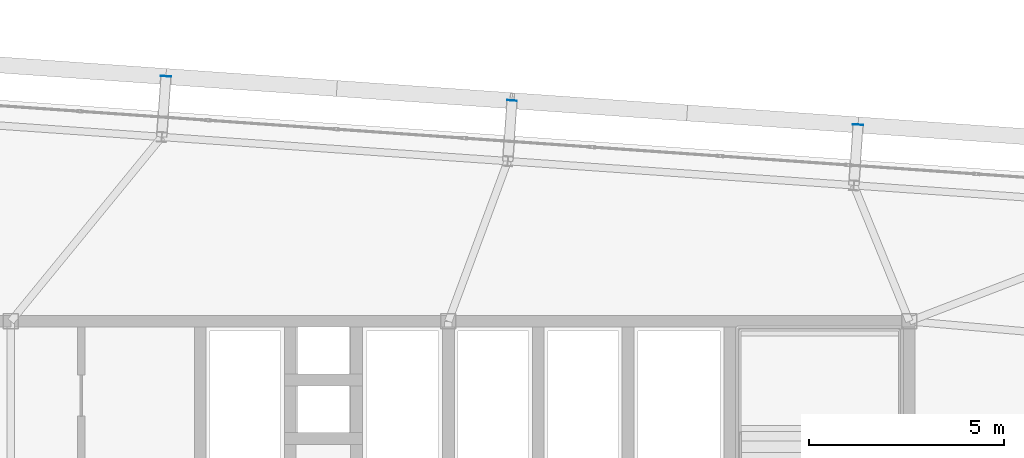
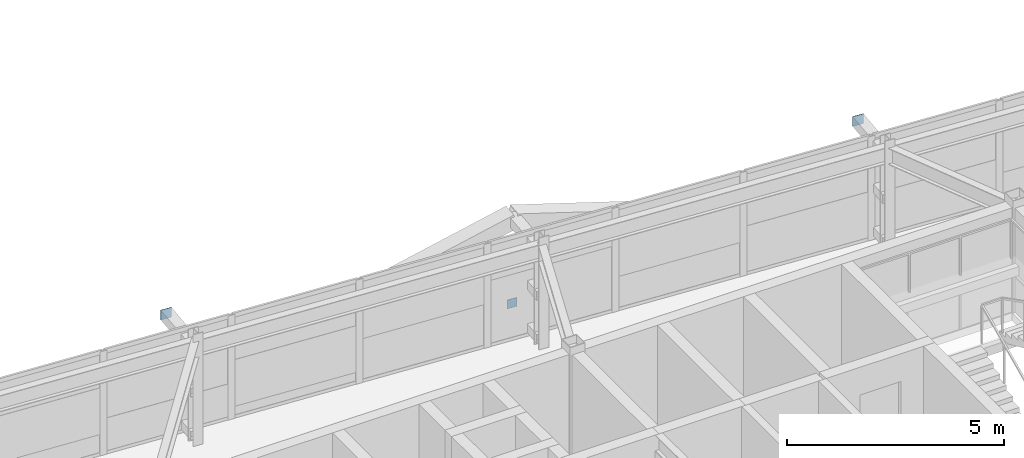
# One storey, part 39 of 47: 3 plates.
"""IFC4 building model written with IfcOpenShell, lengths in metres."""

from ifc_helpers import new_model, si_unit, direction, frame, origin, origin_2d, place, context, subcontext, project, spatial, rectangle, extrude, source, transform, mapped, material, layer, layer_set, type_object, element, save


model = new_model("IFC4")

# Units and contexts
model_context = context("Model", 3, precision=1e-05, world=origin(), true_north=direction((0.0, 1.0)))
body_context = subcontext(model_context, "Body", "Model", "MODEL_VIEW")
ifc_project = project(units=[si_unit("LENGTHUNIT", "METRE"), si_unit("AREAUNIT", "SQUARE_METRE"), si_unit("VOLUMEUNIT", "CUBIC_METRE"), si_unit("PLANEANGLEUNIT", "RADIAN"), si_unit("MASSUNIT", "GRAM", prefix="KILO")], contexts=[model_context])

# Site, building, storey
site_placement = place(None, origin())
site = spatial("IfcSite", under=ifc_project, at=site_placement, CompositionType="ELEMENT")
building_placement = place(site_placement, origin())
building = spatial("IfcBuilding", under=site, at=building_placement, Name="Taldren Reach Tower", CompositionType="ELEMENT")
storey_placement = place(building_placement, frame((0.0, 0.0, 139.300048828125)))
storey = spatial("IfcBuildingStorey", under=building, at=storey_placement, Name="L42", CompositionType="ELEMENT", Elevation=139.300048828125)

# Plates
ifc_material_1 = material(Name="Steel Gr 450 (C450L0)", Category="steel")
ifc_layer_1 = layer(ifc_material_1, 0.011962890625)
ifc_layer_set_1 = layer_set([ifc_layer_1], Name="Steel Gr 450 (C450L0)")
plate_type_1 = type_object("IfcPlateType", Name="PL-CAP-275", PredefinedType="SHEET", material=ifc_layer_set_1)
shared_shape_1 = source(origin(), body_context, "Body", "SweptSolid", [
    extrude(rectangle(XDim=0.27490234375, YDim=0.011962890625, at=origin_2d()), origin(), (0.0, 0.0, 1.0), 0.27490234375),
])
for number, where, z_axis, x_axis, name in (
    (1, (31.969970703125, 38.272216796875, 2.512451171875), (0.0, 0.0, 1.0), (0.99756405026, -0.069756473744, 0.0), "Tie strut end cap plate B3-N3 L42"),
    (2, (49.6865234375, 37.033203125, 2.512451171875), (0.0, 0.0, 1.0), (0.99756405026, -0.069756473744, 0.0), "Tie strut end cap plate B3-N5 L42"),
):
    element("IfcPlate", number, at=place(storey_placement, frame(where, z_axis=z_axis, x_axis=x_axis)), inside=storey, type_object=plate_type_1, Name=name, PredefinedType="SHEET", context=body_context, shape_type="MappedRepresentation", body=[
        mapped(shared_shape_1, transform((0.0, 0.0, 0.0), scale=1.0)),
    ])
ifc_material_2 = material(Name="Steel Gr 350 (C350L0)", Category="steel")
ifc_layer_2 = layer(ifc_material_2, 0.011962890625)
ifc_layer_set_2 = layer_set([ifc_layer_2], Name="Steel Gr 350 (C350L0)")
plate_type_2 = type_object("IfcPlateType", Name="PL-CAP-250", PredefinedType="SHEET", material=ifc_layer_set_2)
shared_shape_2 = source(origin(), body_context, "Body", "SweptSolid", [
    extrude(rectangle(XDim=0.25, YDim=0.011962890625, at=origin_2d()), origin(), (0.0, 0.0, 1.0), 0.25),
])
plate_placement = place(storey_placement, frame((40.828125, 37.652587890625, 0.094970703125), z_axis=(0.0, 0.0, 1.0), x_axis=(0.99756405026, -0.069756473744, 0.0)))
element("IfcPlate", 3, at=plate_placement, inside=storey, type_object=plate_type_2, Name="Tie strut end cap plate B3-N4 L42", PredefinedType="SHEET", context=body_context, shape_type="MappedRepresentation", body=[
    mapped(shared_shape_2, transform((0.0, 0.0, 0.0), scale=1.0)),
])

save(model, "model.ifc")
